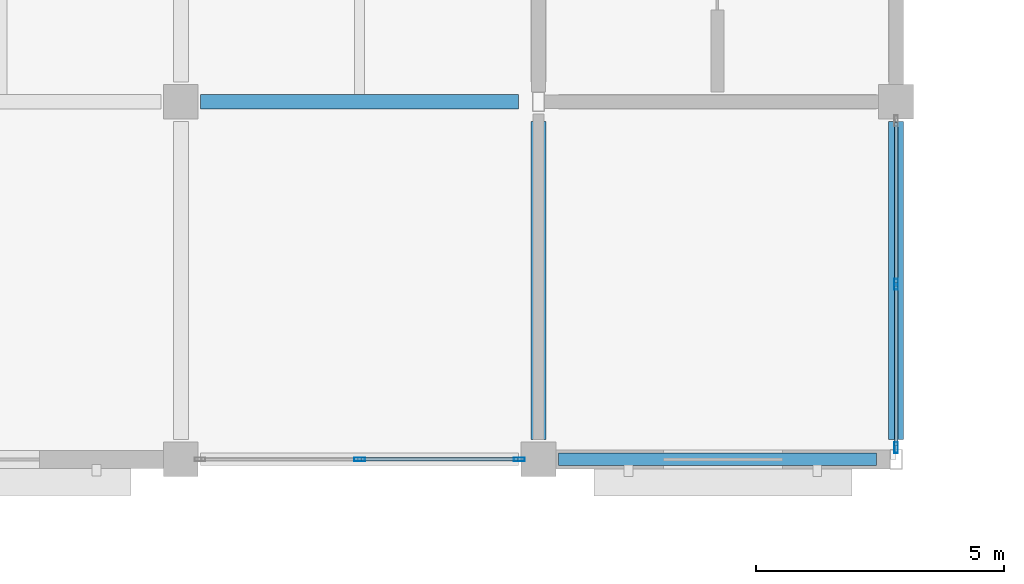
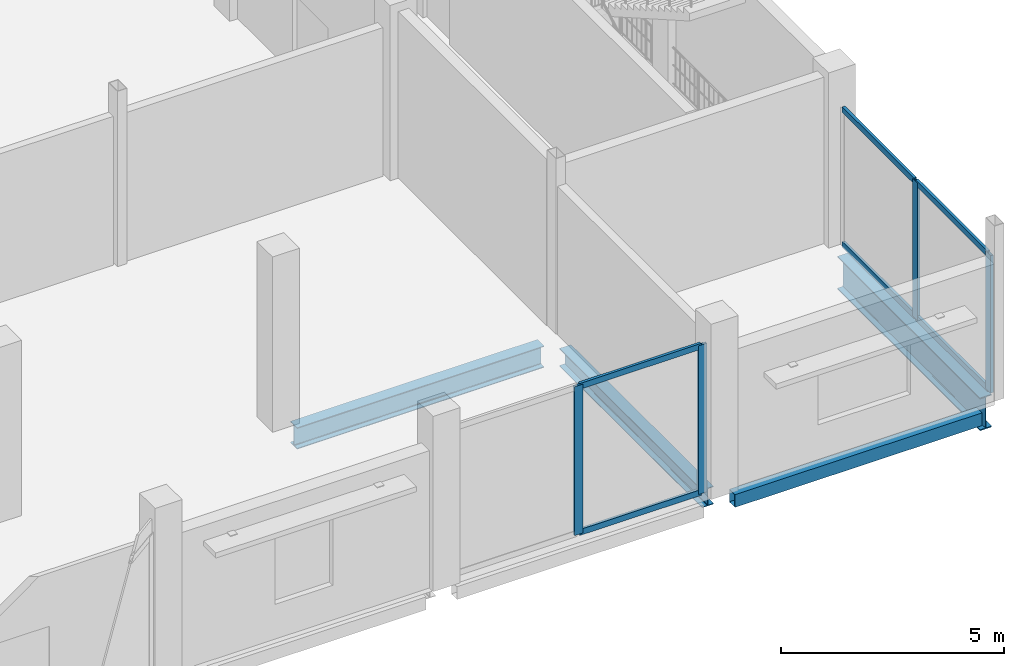
# One storey, part 67 of 120: 10 members, 4 beams, 2 elements without a shape of their own.
"""IFC4 building model written with IfcOpenShell, lengths in metres."""

import ifcopenshell
import ifcopenshell.guid

model = None  # the IFC model being written
_history = None  # IfcOwnerHistory: only IFC2X3 demands one
_inside = {}  # id of a spatial element -> (the spatial element, [elements in it])
_under = {}  # id of a project, library or spatial element -> (it, [spatial elements below it])
_declared = {}  # id of a project -> (the project, [libraries it declares])
_typed = {}  # id of a type object -> (the type object, [elements of that type])
_made_of = {}  # id of a material, layer set ... -> (it, [elements and type objects made of it])


def new_model(schema):
    """Start an empty IFC model of exactly this schema.

    Asked for "IFC4X3", IfcOpenShell would pick the latest addendum, in which some entities
    have other attributes; the version numbers below select the first issue.
    IFC2X3 requires an IfcOwnerHistory on every rooted entity: one is made here for all.
    """
    global model, _history
    if schema == "IFC4X3":
        model = ifcopenshell.file(schema_version=(4, 3, 0, 0))
    else:
        model = ifcopenshell.file(schema=schema)
    _inside.clear()
    _under.clear()
    _declared.clear()
    _typed.clear()
    _made_of.clear()
    _history = None
    if model.schema == "IFC2X3":
        org = make("IfcOrganization", Name="unknown")
        user = make(
            "IfcPersonAndOrganization",
            ThePerson=make("IfcPerson", FamilyName="unknown"),
            TheOrganization=org,
        )
        app = make(
            "IfcApplication",
            ApplicationDeveloper=org,
            Version="unknown",
            ApplicationFullName="unknown",
            ApplicationIdentifier="unknown",
        )
        _history = make(
            "IfcOwnerHistory",
            OwningUser=user,
            OwningApplication=app,
            ChangeAction="ADDED",
            CreationDate=0,
        )
    return model


def make(cls, **values):
    """One entity of the class cls with the attributes given. An attribute that is None is left unset."""
    return model.create_entity(
        cls, **{name: value for name, value in values.items() if value is not None}
    )


def rooted(cls, **values):
    """An entity with a GlobalId (a new one), such as an element, a storey or a relation."""
    return make(cls, GlobalId=ifcopenshell.guid.new(), OwnerHistory=_history, **values)


def si_unit(unit_type, name, prefix=None):
    """IfcSIUnit, for example si_unit("LENGTHUNIT", "METRE", prefix="MILLI")."""
    return make("IfcSIUnit", UnitType=unit_type, Prefix=prefix, Name=name)


def assignment(units):
    """IfcUnitAssignment: the units of a project."""
    return None if units is None else make("IfcUnitAssignment", Units=units)


def point(xyz):
    """IfcCartesianPoint."""
    return None if xyz is None else make("IfcCartesianPoint", Coordinates=xyz)


def direction(xyz):
    """IfcDirection."""
    return None if xyz is None else make("IfcDirection", DirectionRatios=xyz)


def frame(location, z_axis=None, x_axis=None):
    """IfcAxis2Placement3D, a coordinate frame: its origin and axes. An axis left out is left unset."""
    return make(
        "IfcAxis2Placement3D",
        Location=point(location),
        Axis=direction(z_axis),
        RefDirection=direction(x_axis),
    )


def frame_2d(location, x_axis=None):
    """IfcAxis2Placement2D, a coordinate frame in the plane: its origin and x axis."""
    return make(
        "IfcAxis2Placement2D", Location=point(location), RefDirection=direction(x_axis)
    )


def origin():
    """The frame at (0, 0, 0) with its axes left unset."""
    return frame((0.0, 0.0, 0.0))


def origin_2d():
    """The frame at (0, 0) in the plane with its x axis left unset."""
    return frame_2d((0.0, 0.0))


def place(relative_to, where):
    """IfcLocalPlacement: puts the frame where relative to a parent placement (None: the world)."""
    return make(
        "IfcLocalPlacement", PlacementRelTo=relative_to, RelativePlacement=where
    )


def context(
    kind, dimensions, precision=None, world=None, true_north=None, identifier=None
):
    """IfcGeometricRepresentationContext, for example the 3D "Model" context."""
    return make(
        "IfcGeometricRepresentationContext",
        ContextIdentifier=identifier,
        ContextType=kind,
        CoordinateSpaceDimension=dimensions,
        Precision=precision,
        WorldCoordinateSystem=world,
        TrueNorth=true_north,
    )


def subcontext(parent, identifier, kind, view, scale=None):
    """IfcGeometricRepresentationSubContext, for example "Body" below "Model"."""
    return make(
        "IfcGeometricRepresentationSubContext",
        ContextIdentifier=identifier,
        ContextType=kind,
        ParentContext=parent,
        TargetScale=scale,
        TargetView=view,
    )


def project(units=None, contexts=None):
    """IfcProject with its units and contexts."""
    return rooted(
        "IfcProject",
        Name="project",
        RepresentationContexts=contexts,
        UnitsInContext=assignment(units),
    )


def spatial(cls, under=None, at=None, **own):
    """A site, building, storey or space (cls), placed at a placement, below another one or the project."""
    s = rooted(cls, ObjectPlacement=at, **own)
    if under is not None:
        _under.setdefault(under.id(), (under, []))[1].append(s)
    return s


def profile(cls, at=None, kind="AREA", **sizes):
    """A parametric profile (cls). Its sizes go by their IFC names, for example OverallWidth=200.0."""
    return make(cls, ProfileType=kind, Position=at, **sizes)


def hollow_rectangle(**sizes):
    """IfcRectangleHollowProfileDef."""
    return profile("IfcRectangleHollowProfileDef", **sizes)


def i_section(**sizes):
    """IfcIShapeProfileDef."""
    return profile("IfcIShapeProfileDef", **sizes)


def extrude(swept, where, along, depth):
    """IfcExtrudedAreaSolid: the profile swept, set in the frame where, extruded along a direction by depth."""
    return make(
        "IfcExtrudedAreaSolid",
        SweptArea=swept,
        Position=where,
        ExtrudedDirection=direction(along),
        Depth=depth,
    )


def shape(context_of_items, identifier, shape_type, items):
    """IfcShapeRepresentation: the items that make up one representation, for example the "Body"."""
    return make(
        "IfcShapeRepresentation",
        ContextOfItems=context_of_items,
        RepresentationIdentifier=identifier,
        RepresentationType=shape_type,
        Items=items,
    )


def material(Name=None, Category=None):
    """IfcMaterial."""
    return make("IfcMaterial", Name=Name, Category=Category)


def material_profile(
    of_material, cross_section, Name=None, Category=None, Priority=None
):
    """IfcMaterialProfile: a cross section and its material."""
    return make(
        "IfcMaterialProfile",
        Name=Name,
        Material=of_material,
        Profile=cross_section,
        Priority=Priority,
        Category=Category,
    )


def profile_set(profiles, Name=None, composite=None):
    """IfcMaterialProfileSet."""
    return make(
        "IfcMaterialProfileSet",
        Name=Name,
        MaterialProfiles=profiles,
        CompositeProfile=composite,
    )


def made_of(thing, what):
    """Note that an element or type object is made of a material, layer set ...; save() writes the relation."""
    if what is not None:
        _made_of.setdefault(what.id(), (what, []))[1].append(thing)
    return thing


def type_object(cls, material=None, **own):
    """A type object (cls), such as IfcWallType, which elements share."""
    return made_of(rooted(cls, **own), material)


def element(
    cls,
    number,
    at=None,
    inside=None,
    cuts=None,
    type_object=None,
    material=None,
    context=None,
    identifier="Body",
    shape_type=None,
    held_by="IfcProductDefinitionShape",
    body=None,
    shapes=None,
    **own,
):
    """One element of the class cls, such as IfcWall. Its Tag is "e" and its number.

    at: its placement. inside: the storey or other place that contains it. cuts: it is an
    opening in that element (IfcRelVoidsElement). A single representation is given by context,
    identifier, shape_type and body (its items); several are given by shapes. held_by: the class
    of the entity that holds the representations. save() writes the other relations.
    """
    e = rooted(cls, Tag="e%d" % number, ObjectPlacement=at, **own)
    if body is not None:
        shapes = [shape(context, identifier, shape_type, body)]
    if shapes is not None:
        e.Representation = make(held_by, Representations=shapes)
    if inside is not None:
        _inside.setdefault(inside.id(), (inside, []))[1].append(e)
    if cuts is not None:
        rooted(
            "IfcRelVoidsElement", RelatingBuildingElement=cuts, RelatedOpeningElement=e
        )
    if type_object is not None:
        _typed.setdefault(type_object.id(), (type_object, []))[1].append(e)
    return made_of(e, material)


def aggregate(whole, parts):
    """IfcRelAggregates: a whole, such as a stair, and the parts it consists of."""
    return rooted("IfcRelAggregates", RelatingObject=whole, RelatedObjects=parts)


def save(model, path):
    """Write the relations noted so far, then the file.

    IfcRelAggregates (storeys below a building ...), IfcRelContainedInSpatialStructure (elements
    in a storey), IfcRelDefinesByType, IfcRelAssociatesMaterial and IfcRelDeclares: one each for
    every whole, place, type object, material and project.
    """
    for whole, parts in _under.values():
        aggregate(whole, parts)
    for where, things in _inside.values():
        rooted(
            "IfcRelContainedInSpatialStructure",
            RelatedElements=things,
            RelatingStructure=where,
        )
    for kind, things in _typed.values():
        rooted("IfcRelDefinesByType", RelatedObjects=things, RelatingType=kind)
    for what, things in _made_of.values():
        rooted("IfcRelAssociatesMaterial", RelatedObjects=things, RelatingMaterial=what)
    for by, libraries in _declared.values():
        rooted("IfcRelDeclares", RelatingContext=by, RelatedDefinitions=libraries)
    model.write(path)


model = new_model("IFC4")

# Units and contexts
model_context = context("Model", 3, precision=1e-05, world=origin(), true_north=direction((0.0, 1.0)))
body_context = subcontext(model_context, "Body", "Model", "MODEL_VIEW")
ifc_project = project(units=[si_unit("LENGTHUNIT", "METRE"), si_unit("AREAUNIT", "SQUARE_METRE"), si_unit("VOLUMEUNIT", "CUBIC_METRE"), si_unit("PLANEANGLEUNIT", "RADIAN"), si_unit("MASSUNIT", "GRAM", prefix="KILO")], contexts=[model_context])

# Site, building, storey
site_placement = place(None, origin())
site = spatial("IfcSite", under=ifc_project, at=site_placement, CompositionType="ELEMENT")
building_placement = place(site_placement, origin())
building = spatial("IfcBuilding", under=site, at=building_placement, Name="Vesperath Aquatics Centre", CompositionType="ELEMENT")
storey_placement = place(building_placement, frame((0.0, 0.0, 10.199951171875)))
storey = spatial("IfcBuildingStorey", under=building, at=storey_placement, Name="L02", CompositionType="ELEMENT", Elevation=10.199951171875)

# Beams
ifc_material_1 = material(Name="Steel Q355D", Category="steel")
ifc_material_profile_1 = material_profile(ifc_material_1, i_section(OverallWidth=0.300048828125, OverallDepth=0.89990234375, WebThickness=0.01611328125, FlangeThickness=0.028076171875, FilletRadius=0.028076171875, at=origin_2d()), Name="HN 900x300x16x28")
ifc_profile_set_1 = profile_set([ifc_material_profile_1], Name="Steel Q355D")
beam_type_1 = type_object("IfcBeamType", Name="BM-G06", PredefinedType="BEAM", material=ifc_profile_set_1)
beam_1_placement = place(storey_placement, frame((172.800048828125, 0.39990234375, -0.7099609375), z_axis=(0.0, 1.0, 0.0), x_axis=(-1.0, 0.0, 0.0)))
element("IfcBeam", 1, at=beam_1_placement, inside=storey, type_object=beam_type_1, Name="Floor Girder B06 L02 25 A-B", PredefinedType="BEAM", context=body_context, shape_type="SweptSolid", body=[
    extrude(i_section(OverallWidth=0.300048828125, OverallDepth=0.89990234375, WebThickness=0.01611328125, FlangeThickness=0.028076171875, FilletRadius=0.028076171875, at=origin_2d()), origin(), (0.0, 0.0, 1.0), 6.400146484375),
])
ifc_material_2 = material(Name="Steel Q355C", Category="steel")
ifc_material_profile_2 = material_profile(ifc_material_2, i_section(OverallWidth=0.300048828125, OverallDepth=0.587890625, WebThickness=0.011962890625, FlangeThickness=0.02001953125, FilletRadius=0.028076171875, at=origin_2d()), Name="HM 588x300x12x20")
ifc_profile_set_2 = profile_set([ifc_material_profile_2], Name="Steel Q355C")
beam_type_2 = type_object("IfcBeamType", Name="BM-G09", PredefinedType="BEAM", material=ifc_profile_set_2)
beam_2_placement = place(storey_placement, frame((158.800048828125, 7.199951171875, -0.553955078125), z_axis=(1.0, 0.0, 0.0), x_axis=(0.0, 1.0, 0.0)))
element("IfcBeam", 2, at=beam_2_placement, inside=storey, type_object=beam_type_2, Name="Floor Girder B09 L02 B 23-24", PredefinedType="BEAM", context=body_context, shape_type="SweptSolid", body=[
    extrude(i_section(OverallWidth=0.300048828125, OverallDepth=0.587890625, WebThickness=0.011962890625, FlangeThickness=0.02001953125, FilletRadius=0.028076171875, at=origin_2d()), origin(), (0.0, 0.0, 1.0), 6.39990234375),
])
ifc_material_profile_3 = material_profile(ifc_material_2, i_section(OverallWidth=0.300048828125, OverallDepth=0.488037109375, WebThickness=0.010986328125, FlangeThickness=0.01806640625, FilletRadius=0.02587890625, at=origin_2d()), Name="HM 488x300x11x18")
ifc_profile_set_3 = profile_set([ifc_material_profile_3], Name="Steel Q355C")
beam_type_3 = type_object("IfcBeamType", Name="BM-G10", PredefinedType="BEAM", material=ifc_profile_set_3)
beam_3_placement = place(storey_placement, frame((165.60009765625, 0.39990234375, -0.50390625), z_axis=(0.0, 1.0, 0.0), x_axis=(-1.0, 0.0, 0.0)))
element("IfcBeam", 3, at=beam_3_placement, inside=storey, type_object=beam_type_3, Name="Floor Girder B10 L02 24 A-B", PredefinedType="BEAM", context=body_context, shape_type="SweptSolid", body=[
    extrude(i_section(OverallWidth=0.300048828125, OverallDepth=0.488037109375, WebThickness=0.010986328125, FlangeThickness=0.01806640625, FilletRadius=0.02587890625, at=origin_2d()), origin(), (0.0, 0.0, 1.0), 6.400146484375),
])
ifc_material_profile_4 = material_profile(ifc_material_1, hollow_rectangle(XDim=0.25, YDim=0.35009765625, WallThickness=0.011962890625, at=origin_2d()), Name="RHS 350x250x12")
ifc_profile_set_4 = profile_set([ifc_material_profile_4], Name="Steel Q355D")
beam_type_4 = type_object("IfcBeamType", Name="BM-SP02", PredefinedType="SPANDREL", material=ifc_profile_set_4)
beam_4_placement = place(storey_placement, frame((166.0, 0.0, -0.43505859375), z_axis=(1.0, 0.0, 0.0), x_axis=(0.0, 1.0, 0.0)))
element("IfcBeam", 4, at=beam_4_placement, inside=storey, type_object=beam_type_4, Name="Floor Girder SP02 L02 A 24-25", PredefinedType="SPANDREL", context=body_context, shape_type="SweptSolid", body=[
    extrude(hollow_rectangle(XDim=0.25, YDim=0.35009765625, WallThickness=0.011962890625, at=origin_2d()), origin(), (0.0, 0.0, 1.0), 6.39990234375),
])

# Curtain wall, members
ifc_material_3 = material(Name="Thermally broken anodised bronze aluminium curtain wall", Category="aluminium")
curtain_wall_type = type_object("IfcCurtainWallType", Name="CW-06", PredefinedType="NOTDEFINED", material=ifc_material_3)
curtain_wall_1_placement = place(storey_placement, origin())
curtain_wall_1 = element("IfcCurtainWall", 5, at=curtain_wall_1_placement, inside=storey, type_object=curtain_wall_type, Name="Facade Curtain Wall CW06 L02_S_22_00", PredefinedType="NOTDEFINED")
ifc_material_4 = material(Name="Thermally broken anodised aluminium", Category="aluminium")
ifc_material_profile_5 = material_profile(ifc_material_4, hollow_rectangle(XDim=0.070068359375, YDim=0.219970703125, WallThickness=0.0048828125, at=origin_2d()), Name="CWM 70x220x5")
ifc_profile_set_5 = profile_set([ifc_material_profile_5], Name="Thermally broken anodised aluminium")
member_type_1 = type_object("IfcMemberType", Name="MB-CWM2", PredefinedType="MULLION", material=ifc_profile_set_5)
member_1_placement = place(storey_placement, frame((162.0, 0.0, 0.0), z_axis=(0.0, 0.0, 1.0), x_axis=(0.0, 1.0, 0.0)))
member_1 = element("IfcMember", 6, at=member_1_placement, type_object=member_type_1, Name="CW06 mullion 2", PredefinedType="MULLION", context=body_context, shape_type="SweptSolid", body=[
    extrude(hollow_rectangle(XDim=0.070068359375, YDim=0.219970703125, WallThickness=0.0048828125, at=origin_2d()), origin(), (0.0, 0.0, 1.0), 4.072021484375),
])
member_2_placement = place(storey_placement, frame((165.215087890625, 0.0, 0.0), z_axis=(0.0, 0.0, 1.0), x_axis=(0.0, 1.0, 0.0)))
member_2 = element("IfcMember", 7, at=member_2_placement, type_object=member_type_1, Name="CW06 mullion 3", PredefinedType="MULLION", context=body_context, shape_type="SweptSolid", body=[
    extrude(hollow_rectangle(XDim=0.070068359375, YDim=0.219970703125, WallThickness=0.0048828125, at=origin_2d()), origin(), (0.0, 0.0, 1.0), 4.072021484375),
])

curtain_wall_2_placement = place(storey_placement, origin())
curtain_wall_2 = element("IfcCurtainWall", 8, at=curtain_wall_2_placement, inside=storey, type_object=curtain_wall_type, Name="Facade Curtain Wall CW06 L02_E_24_00", PredefinedType="NOTDEFINED")
member_3_placement = place(storey_placement, frame((172.800048828125, 0.235107421875, 0.0), z_axis=(0.0, 0.0, 1.0), x_axis=(-1.0, 0.0, 0.0)))
member_3 = element("IfcMember", 9, at=member_3_placement, type_object=member_type_1, Name="CW06 mullion 1", PredefinedType="MULLION", context=body_context, shape_type="SweptSolid", body=[
    extrude(hollow_rectangle(XDim=0.070068359375, YDim=0.219970703125, WallThickness=0.0048828125, at=origin_2d()), origin(), (0.0, 0.0, 1.0), 3.760009765625),
])
member_4_placement = place(storey_placement, frame((172.800048828125, 3.52490234375, 0.0), z_axis=(0.0, 0.0, 1.0), x_axis=(-1.0, 0.0, 0.0)))
member_4 = element("IfcMember", 10, at=member_4_placement, type_object=member_type_1, Name="CW06 mullion 2", PredefinedType="MULLION", context=body_context, shape_type="SweptSolid", body=[
    extrude(hollow_rectangle(XDim=0.070068359375, YDim=0.219970703125, WallThickness=0.0048828125, at=origin_2d()), origin(), (0.0, 0.0, 1.0), 3.760009765625),
])

# Member
ifc_material_profile_6 = material_profile(ifc_material_4, hollow_rectangle(XDim=0.070068359375, YDim=0.159912109375, WallThickness=0.0048828125, at=origin_2d()), Name="CWT 70x160x5")
ifc_profile_set_6 = profile_set([ifc_material_profile_6], Name="Thermally broken anodised aluminium")
member_type_2 = type_object("IfcMemberType", Name="MB-CWT2", PredefinedType="USERDEFINED", material=ifc_profile_set_6)
member_5_placement = place(storey_placement, frame((162.034912109375, 0.0, 0.03515625), z_axis=(1.0, 0.0, 0.0), x_axis=(0.0, 1.0, 0.0)))
member_5 = element("IfcMember", 11, at=member_5_placement, type_object=member_type_2, Name="CW06 transom 2.1", ObjectType="TRANSOM", PredefinedType="USERDEFINED", context=body_context, shape_type="SweptSolid", body=[
    extrude(hollow_rectangle(XDim=0.070068359375, YDim=0.159912109375, WallThickness=0.0048828125, at=origin_2d()), origin(), (0.0, 0.0, 1.0), 3.14501953125),
])

member_6_placement = place(storey_placement, frame((162.034912109375, 0.0, 4.037109375), z_axis=(1.0, 0.0, 0.0), x_axis=(0.0, 1.0, 0.0)))
member_6 = element("IfcMember", 12, at=member_6_placement, type_object=member_type_2, Name="CW06 transom 2.2", ObjectType="TRANSOM", PredefinedType="USERDEFINED", context=body_context, shape_type="SweptSolid", body=[
    extrude(hollow_rectangle(XDim=0.070068359375, YDim=0.159912109375, WallThickness=0.0048828125, at=origin_2d()), origin(), (0.0, 0.0, 1.0), 3.14501953125),
])

aggregate(curtain_wall_1, [member_1, member_2, member_5, member_6])

member_7_placement = place(storey_placement, frame((172.800048828125, 0.27001953125, 0.03515625), z_axis=(0.0, 1.0, 0.0), x_axis=(-1.0, 0.0, 0.0)))
member_7 = element("IfcMember", 13, at=member_7_placement, type_object=member_type_2, Name="CW06 transom 1.1", ObjectType="TRANSOM", PredefinedType="USERDEFINED", context=body_context, shape_type="SweptSolid", body=[
    extrude(hollow_rectangle(XDim=0.070068359375, YDim=0.159912109375, WallThickness=0.0048828125, at=origin_2d()), origin(), (0.0, 0.0, 1.0), 3.219970703125),
])

member_8_placement = place(storey_placement, frame((172.800048828125, 0.27001953125, 3.72509765625), z_axis=(0.0, 1.0, 0.0), x_axis=(-1.0, 0.0, 0.0)))
member_8 = element("IfcMember", 14, at=member_8_placement, type_object=member_type_2, Name="CW06 transom 1.2", ObjectType="TRANSOM", PredefinedType="USERDEFINED", context=body_context, shape_type="SweptSolid", body=[
    extrude(hollow_rectangle(XDim=0.070068359375, YDim=0.159912109375, WallThickness=0.0048828125, at=origin_2d()), origin(), (0.0, 0.0, 1.0), 3.219970703125),
])

member_9_placement = place(storey_placement, frame((172.800048828125, 3.56005859375, 0.03515625), z_axis=(0.0, 1.0, 0.0), x_axis=(-1.0, 0.0, 0.0)))
member_9 = element("IfcMember", 15, at=member_9_placement, type_object=member_type_2, Name="CW06 transom 2.1", ObjectType="TRANSOM", PredefinedType="USERDEFINED", context=body_context, shape_type="SweptSolid", body=[
    extrude(hollow_rectangle(XDim=0.070068359375, YDim=0.159912109375, WallThickness=0.0048828125, at=origin_2d()), origin(), (0.0, 0.0, 1.0), 3.219970703125),
])

member_10_placement = place(storey_placement, frame((172.800048828125, 3.56005859375, 3.72509765625), z_axis=(0.0, 1.0, 0.0), x_axis=(-1.0, 0.0, 0.0)))
member_10 = element("IfcMember", 16, at=member_10_placement, type_object=member_type_2, Name="CW06 transom 2.2", ObjectType="TRANSOM", PredefinedType="USERDEFINED", context=body_context, shape_type="SweptSolid", body=[
    extrude(hollow_rectangle(XDim=0.070068359375, YDim=0.159912109375, WallThickness=0.0048828125, at=origin_2d()), origin(), (0.0, 0.0, 1.0), 3.219970703125),
])

aggregate(curtain_wall_2, [member_3, member_4, member_7, member_8, member_9, member_10])

save(model, "model.ifc")
